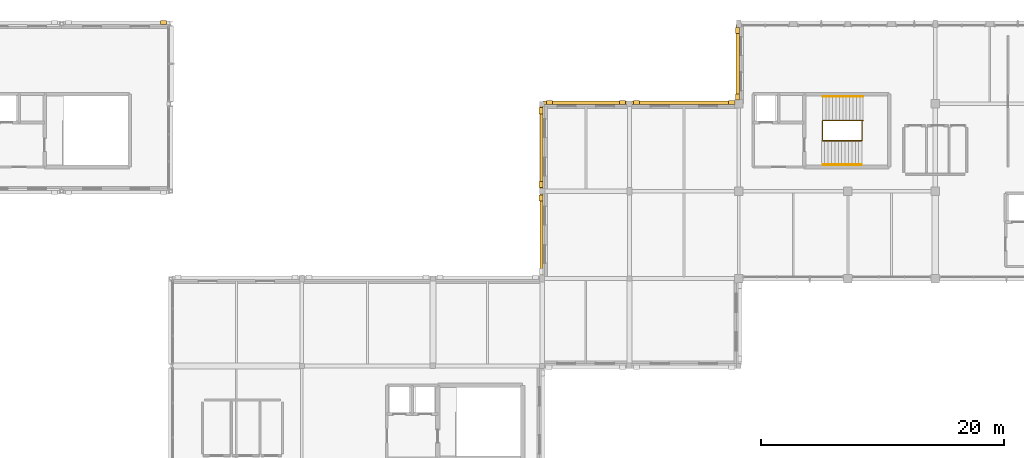
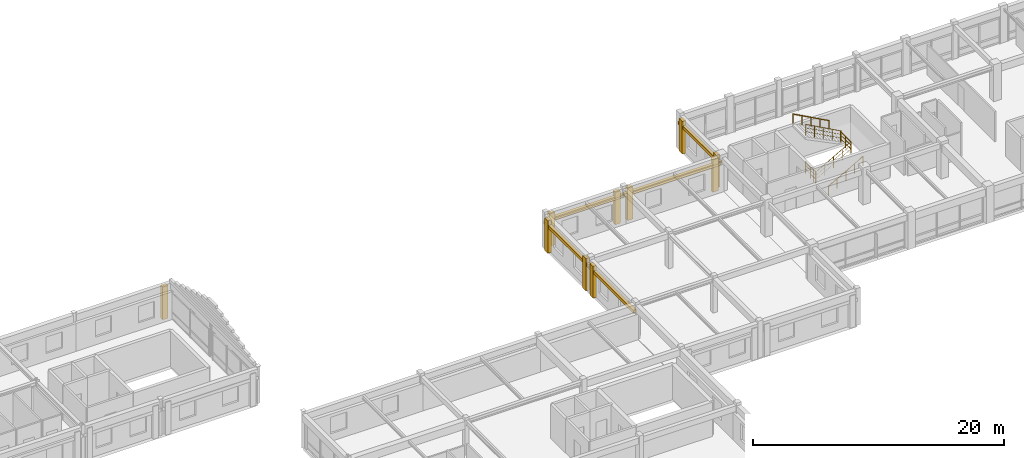
# One storey, part 50 of 52: 15 coverings, 6 railings.
"""IFC4 building model written with IfcOpenShell, lengths in metres."""

from ifc_helpers import new_model, si_unit, direction, frame, frame_2d, origin, origin_2d, place, context, subcontext, project, spatial, rectangle, circle, extrude, material, layer, layer_set, type_object, element, save


model = new_model("IFC4")

# Units and contexts
model_context = context("Model", 3, precision=1e-05, world=origin(), true_north=direction((0.0, 1.0)))
body_context = subcontext(model_context, "Body", "Model", "MODEL_VIEW")
ifc_project = project(units=[si_unit("LENGTHUNIT", "METRE"), si_unit("AREAUNIT", "SQUARE_METRE"), si_unit("VOLUMEUNIT", "CUBIC_METRE"), si_unit("PLANEANGLEUNIT", "RADIAN"), si_unit("MASSUNIT", "GRAM", prefix="KILO")], contexts=[model_context])

# Site, building, storey
site_placement = place(None, origin())
site = spatial("IfcSite", under=ifc_project, at=site_placement, CompositionType="ELEMENT")
building_placement = place(site_placement, origin())
building = spatial("IfcBuilding", under=site, at=building_placement, Name="Clarverna Civic Hall", CompositionType="ELEMENT")
storey_placement = place(building_placement, frame((0.0, 0.0, 16.800048828125)))
storey = spatial("IfcBuildingStorey", under=building, at=storey_placement, Name="L04", CompositionType="ELEMENT", Elevation=16.800048828125)

# Coverings
ifc_material_1 = material(Name="Montjuic Buff Limestone Ashlar Cladding", Category="masonry")
ifc_layer = layer(ifc_material_1, 0.070068359375)
ifc_layer_set = layer_set([ifc_layer], Name="Montjuic Buff Limestone Ashlar Cladding")
covering_type = type_object("IfcCoveringType", Name="CV-CL2", PredefinedType="CLADDING", material=ifc_layer_set)
covering_1_placement = place(storey_placement, frame((97.14501953125, 95.06005859375, 2.33984375), z_axis=(0.0, 0.0, 1.0), x_axis=(0.0, 1.0, 0.0)))
element("IfcCovering", 1, at=covering_1_placement, inside=storey, type_object=covering_type, Name="CV-CL2-746", PredefinedType="CLADDING", context=body_context, shape_type="SweptSolid", body=[
    extrude(rectangle(XDim=7.079833984375, YDim=0.280029296875, at=frame_2d((3.5400390625, 0.0))), origin(), (0.0, 0.0, 1.0), 0.300048828125),
])
covering_2_placement = place(storey_placement, frame((97.114990234375, 101.3798828125, 0.0), z_axis=(0.0, 0.0, 1.0), x_axis=(0.0, 1.0, 0.0)))
element("IfcCovering", 2, at=covering_2_placement, inside=storey, type_object=covering_type, Name="CV-CL2-748", PredefinedType="CLADDING", context=body_context, shape_type="SweptSolid", body=[
    extrude(rectangle(XDim=0.5, YDim=0.340087890625, at=frame_2d((0.25, 0.0))), origin(), (0.0, 0.0, 1.0), 3.099853515625),
])
covering_3_placement = place(storey_placement, frame((97.14501953125, 102.260009765625, 2.39990234375), z_axis=(0.0, 0.0, 1.0), x_axis=(0.0, 1.0, 0.0)))
element("IfcCovering", 3, at=covering_3_placement, inside=storey, type_object=covering_type, Name="CV-CL2-749", PredefinedType="CLADDING", context=body_context, shape_type="SweptSolid", body=[
    extrude(rectangle(XDim=7.080078125, YDim=0.280029296875, at=frame_2d((3.5400390625, 0.0))), origin(), (0.0, 0.0, 1.0), 0.300048828125),
])
for number, where, z_axis, x_axis, name in (
    (4, (97.114990234375, 102.52001953125, 0.0), (0.0, 0.0, 1.0), (0.0, 1.0, 0.0), "CV-CL2-750"),
    (5, (97.114990234375, 108.580078125, 0.0), (0.0, 0.0, 1.0), (0.0, 1.0, 0.0), "CV-CL2-751"),
):
    element("IfcCovering", number, at=place(storey_placement, frame(where, z_axis=z_axis, x_axis=x_axis)), inside=storey, type_object=covering_type, Name=name, PredefinedType="CLADDING", context=body_context, shape_type="SweptSolid", body=[
        extrude(rectangle(XDim=0.5, YDim=0.340087890625, at=frame_2d((0.25, 0.0))), origin(), (0.0, 0.0, 1.0), 3.159912109375),
    ])
covering_4_placement = place(storey_placement, frame((97.284912109375, 109.47998046875, 2.39990234375), z_axis=(0.0, 0.0, 1.0), x_axis=(1.0, 0.0, 0.0)))
element("IfcCovering", 6, at=covering_4_placement, inside=storey, type_object=covering_type, Name="CV-CL2-752", PredefinedType="CLADDING", context=body_context, shape_type="SweptSolid", body=[
    extrude(rectangle(XDim=7.05517578125, YDim=0.280029296875, at=frame_2d((3.527587890625, 0.0))), origin(), (0.0, 0.0, 1.0), 0.300048828125),
])
for number, where, z_axis, x_axis, name in (
    (7, (97.544921875, 109.510009765625, 0.0), (0.0, 0.0, 1.0), (1.0, 0.0, 0.0), "CV-CL2-753"),
    (8, (103.580078125, 109.510009765625, 0.0), (0.0, 0.0, 1.0), (1.0, 0.0, 0.0), "CV-CL2-754"),
):
    element("IfcCovering", number, at=place(storey_placement, frame(where, z_axis=z_axis, x_axis=x_axis)), inside=storey, type_object=covering_type, Name=name, PredefinedType="CLADDING", context=body_context, shape_type="SweptSolid", body=[
        extrude(rectangle(XDim=0.5, YDim=0.340087890625, at=frame_2d((0.25, 0.0))), origin(), (0.0, 0.0, 1.0), 3.159912109375),
    ])
covering_5_placement = place(storey_placement, frame((104.4599609375, 109.47998046875, 2.39990234375), z_axis=(0.0, 0.0, 1.0), x_axis=(1.0, 0.0, 0.0)))
element("IfcCovering", 9, at=covering_5_placement, inside=storey, type_object=covering_type, Name="CV-CL2-755", PredefinedType="CLADDING", context=body_context, shape_type="SweptSolid", body=[
    extrude(rectangle(XDim=8.880126953125, YDim=0.280029296875, at=frame_2d((4.43994140625, 0.0))), origin(), (0.0, 0.0, 1.0), 0.300048828125),
])
for number, where, z_axis, x_axis, name in (
    (10, (104.719970703125, 109.510009765625, 0.0), (0.0, 0.0, 1.0), (1.0, 0.0, 0.0), "CV-CL2-756"),
    (11, (112.580078125, 109.510009765625, 0.0), (0.0, 0.0, 1.0), (1.0, 0.0, 0.0), "CV-CL2-757"),
):
    element("IfcCovering", number, at=place(storey_placement, frame(where, z_axis=z_axis, x_axis=x_axis)), inside=storey, type_object=covering_type, Name=name, PredefinedType="CLADDING", context=body_context, shape_type="SweptSolid", body=[
        extrude(rectangle(XDim=0.5, YDim=0.340087890625, at=frame_2d((0.25, 0.0))), origin(), (0.0, 0.0, 1.0), 3.159912109375),
    ])
covering_6_placement = place(storey_placement, frame((113.320068359375, 109.4599609375, 2.419921875), z_axis=(0.0, 0.0, 1.0), x_axis=(0.0, 1.0, 0.0)))
element("IfcCovering", 12, at=covering_6_placement, inside=storey, type_object=covering_type, Name="CV-CL2-758", PredefinedType="CLADDING", context=body_context, shape_type="SweptSolid", body=[
    extrude(rectangle(XDim=6.47998046875, YDim=0.280029296875, at=frame_2d((3.239990234375, 0.0))), origin(), (0.0, 0.0, 1.0), 0.300048828125),
])
for number, where, z_axis, x_axis, name in (
    (13, (113.2900390625, 109.719970703125, 0.0), (0.0, 0.0, 1.0), (0.0, 1.0, 0.0), "CV-CL2-759"),
    (14, (113.2900390625, 115.179931640625, 0.0), (0.0, 0.0, 1.0), (0.0, 1.0, 0.0), "CV-CL2-760"),
    (15, (65.7548828125, 116.110107421875, 0.0), (0.0, 0.0, 1.0), (1.0, 0.0, 0.0), "CV-CL2-829"),
):
    element("IfcCovering", number, at=place(storey_placement, frame(where, z_axis=z_axis, x_axis=x_axis)), inside=storey, type_object=covering_type, Name=name, PredefinedType="CLADDING", context=body_context, shape_type="SweptSolid", body=[
        extrude(rectangle(XDim=0.5, YDim=0.340087890625, at=frame_2d((0.25, 0.0))), origin(), (0.0, 0.0, 1.0), 3.179931640625),
    ])

# Railings
ifc_material_2 = material(Name="Anodised Bronze Architectural Balustrade")
railing_type_1 = type_object("IfcRailingType", Name="GR-02", PredefinedType="BALUSTRADE", material=ifc_material_2)
railing_1_placement = place(storey_placement, frame((120.35009765625, 106.360107421875, 0.0)))
element("IfcRailing", 16, at=railing_1_placement, inside=storey, type_object=railing_type_1, Name="GR-02-171", PredefinedType="BALUSTRADE", context=body_context, shape_type="SweptSolid", body=[
    extrude(circle(Radius=0.02392578125, at=origin_2d()), frame((0.0, 0.0, 1.09619140625), z_axis=(0.871885778895, 0.0, 0.489709289845), x_axis=(0.0, 1.0, 0.0)), (0.0, 0.0, 1.0), 3.67578125),
    extrude(circle(Radius=0.011962890625, at=origin_2d()), frame((0.0, 0.0, 0.39208984375), z_axis=(0.871885778895, 0.0, 0.489709289845), x_axis=(0.0, 1.0, 0.0)), (0.0, 0.0, 1.0), 3.67578125),
    extrude(circle(Radius=0.011962890625, at=origin_2d()), frame((0.0, 0.0, 0.76171875), z_axis=(0.871885778895, 0.0, 0.489709289845), x_axis=(0.0, 1.0, 0.0)), (0.0, 0.0, 1.0), 3.67578125),
    extrude(circle(Radius=0.02099609375, at=origin_2d()), origin(), (0.0, 0.0, 1.0), 1.072021484375),
    extrude(circle(Radius=0.02099609375, at=origin_2d()), frame((0.80126953125, 0.0, 0.449951171875)), (0.0, 0.0, 1.0), 1.072021484375),
    extrude(circle(Radius=0.02099609375, at=origin_2d()), frame((1.6025390625, 0.0, 0.89990234375)), (0.0, 0.0, 1.0), 1.072021484375),
    extrude(circle(Radius=0.02099609375, at=origin_2d()), frame((2.403564453125, 0.0, 1.35009765625)), (0.0, 0.0, 1.0), 1.072021484375),
    extrude(circle(Radius=0.02099609375, at=origin_2d()), frame((3.204833984375, 0.0, 1.800048828125)), (0.0, 0.0, 1.0), 1.072021484375),
])
railing_2_placement = place(storey_placement, frame((123.554931640625, 106.360107421875, 1.800048828125)))
element("IfcRailing", 17, at=railing_2_placement, inside=storey, type_object=railing_type_1, Name="GR-02-172", PredefinedType="BALUSTRADE", context=body_context, shape_type="SweptSolid", body=[
    extrude(circle(Radius=0.02392578125, at=origin_2d()), frame((0.0, 0.0, 1.09619140625), z_axis=(0.0, 1.0, 0.0), x_axis=(-1.0, 0.0, 0.0)), (0.0, 0.0, 1.0), 1.679931640625),
    extrude(circle(Radius=0.011962890625, at=origin_2d()), frame((0.0, 0.0, 0.39208984375), z_axis=(0.0, 1.0, 0.0), x_axis=(-1.0, 0.0, 0.0)), (0.0, 0.0, 1.0), 1.679931640625),
    extrude(circle(Radius=0.011962890625, at=origin_2d()), frame((0.0, 0.0, 0.76171875), z_axis=(0.0, 1.0, 0.0), x_axis=(-1.0, 0.0, 0.0)), (0.0, 0.0, 1.0), 1.679931640625),
    extrude(circle(Radius=0.02099609375, at=origin_2d()), origin(), (0.0, 0.0, 1.0), 1.072021484375),
    extrude(circle(Radius=0.02099609375, at=origin_2d()), frame((0.0, 0.83984375, 0.0)), (0.0, 0.0, 1.0), 1.072021484375),
    extrude(circle(Radius=0.02099609375, at=origin_2d()), frame((0.0, 1.679931640625, 0.0)), (0.0, 0.0, 1.0), 1.072021484375),
])
railing_3_placement = place(storey_placement, frame((123.64501953125, 108.0400390625, 1.800048828125)))
element("IfcRailing", 18, at=railing_3_placement, inside=storey, type_object=railing_type_1, Name="GR-02-173", PredefinedType="BALUSTRADE", context=body_context, shape_type="SweptSolid", body=[
    extrude(circle(Radius=0.02392578125, at=origin_2d()), frame((0.0, 0.0, 1.09619140625), z_axis=(-0.87760714037, 0.0, 0.479380545258), x_axis=(0.0, -1.0, 0.0)), (0.0, 0.0, 1.0), 3.75439453125),
    extrude(circle(Radius=0.011962890625, at=origin_2d()), frame((0.0, 0.0, 0.39208984375), z_axis=(-0.87760714037, 0.0, 0.479380545258), x_axis=(0.0, -1.0, 0.0)), (0.0, 0.0, 1.0), 3.75439453125),
    extrude(circle(Radius=0.011962890625, at=origin_2d()), frame((0.0, 0.0, 0.76171875), z_axis=(-0.87760714037, 0.0, 0.479380545258), x_axis=(0.0, -1.0, 0.0)), (0.0, 0.0, 1.0), 3.75439453125),
    extrude(circle(Radius=0.02099609375, at=origin_2d()), origin(), (0.0, 0.0, 1.0), 1.072021484375),
    extrude(circle(Radius=0.02099609375, at=origin_2d()), frame((-0.82373046875, 0.0, 0.449951171875)), (0.0, 0.0, 1.0), 1.072021484375),
    extrude(circle(Radius=0.02099609375, at=origin_2d()), frame((-1.6474609375, 0.0, 0.89990234375)), (0.0, 0.0, 1.0), 1.072021484375),
    extrude(circle(Radius=0.02099609375, at=origin_2d()), frame((-2.47119140625, 0.0, 1.349853515625)), (0.0, 0.0, 1.0), 1.072021484375),
    extrude(circle(Radius=0.02099609375, at=origin_2d()), frame((-3.294921875, 0.0, 1.7998046875)), (0.0, 0.0, 1.0), 1.072021484375),
])
railing_4_placement = place(storey_placement, frame((120.31005859375, 106.39990234375, 0.0)))
element("IfcRailing", 19, at=railing_4_placement, inside=storey, type_object=railing_type_1, Name="GR-02-174", PredefinedType="BALUSTRADE", context=body_context, shape_type="SweptSolid", body=[
    extrude(circle(Radius=0.02392578125, at=origin_2d()), frame((0.0, 0.0, 1.09619140625), z_axis=(0.0, 1.0, 0.0), x_axis=(-1.0, 0.0, 0.0)), (0.0, 0.0, 1.0), 1.60009765625),
    extrude(circle(Radius=0.011962890625, at=origin_2d()), frame((0.0, 0.0, 0.39208984375), z_axis=(0.0, 1.0, 0.0), x_axis=(-1.0, 0.0, 0.0)), (0.0, 0.0, 1.0), 1.60009765625),
    extrude(circle(Radius=0.011962890625, at=origin_2d()), frame((0.0, 0.0, 0.76171875), z_axis=(0.0, 1.0, 0.0), x_axis=(-1.0, 0.0, 0.0)), (0.0, 0.0, 1.0), 1.60009765625),
    extrude(circle(Radius=0.02099609375, at=origin_2d()), origin(), (0.0, 0.0, 1.0), 1.072021484375),
    extrude(circle(Radius=0.02099609375, at=origin_2d()), frame((0.0, 0.800048828125, 0.0)), (0.0, 0.0, 1.0), 1.072021484375),
    extrude(circle(Radius=0.02099609375, at=origin_2d()), frame((0.0, 1.60009765625, 0.0)), (0.0, 0.0, 1.0), 1.072021484375),
])
ifc_material_3 = material(Name="Anodised Bronze Continuous Handrail")
railing_type_2 = type_object("IfcRailingType", Name="HR-01", PredefinedType="HANDRAIL", material=ifc_material_3)
railing_5_placement = place(storey_placement, frame((120.35009765625, 104.3798828125, 0.0)))
element("IfcRailing", 20, at=railing_5_placement, inside=storey, type_object=railing_type_2, Name="HR-01-085", PredefinedType="HANDRAIL", context=body_context, shape_type="SweptSolid", body=[
    extrude(circle(Radius=0.02392578125, at=origin_2d()), frame((0.0, 0.0, 0.89599609375), z_axis=(0.87090897868, 0.0, 0.491444351738), x_axis=(0.0, 1.0, 0.0)), (0.0, 0.0, 1.0), 3.662841796875),
    extrude(circle(Radius=0.02099609375, at=origin_2d()), origin(), (0.0, 0.0, 1.0), 0.871826171875),
    extrude(circle(Radius=0.02099609375, at=origin_2d()), frame((0.79736328125, 0.0, 0.449951171875)), (0.0, 0.0, 1.0), 0.871826171875),
    extrude(circle(Radius=0.02099609375, at=origin_2d()), frame((1.594970703125, 0.0, 0.89990234375)), (0.0, 0.0, 1.0), 0.871826171875),
    extrude(circle(Radius=0.02099609375, at=origin_2d()), frame((2.392578125, 0.0, 1.35009765625)), (0.0, 0.0, 1.0), 0.871826171875),
    extrude(circle(Radius=0.02099609375, at=origin_2d()), frame((3.18994140625, 0.0, 1.800048828125)), (0.0, 0.0, 1.0), 0.871826171875),
])
railing_6_placement = place(storey_placement, frame((123.659912109375, 110.02001953125, 1.800048828125)))
element("IfcRailing", 21, at=railing_6_placement, inside=storey, type_object=railing_type_2, Name="HR-01-086", PredefinedType="HANDRAIL", context=body_context, shape_type="SweptSolid", body=[
    extrude(circle(Radius=0.02392578125, at=origin_2d()), frame((0.0, 0.0, 0.89599609375), z_axis=(-0.878513961768, 0.0, 0.477716672284), x_axis=(0.0, -1.0, 0.0)), (0.0, 0.0, 1.0), 3.767578125),
    extrude(circle(Radius=0.02099609375, at=origin_2d()), origin(), (0.0, 0.0, 1.0), 0.871826171875),
    extrude(circle(Radius=0.02099609375, at=origin_2d()), frame((-0.827392578125, 0.0, 0.449951171875)), (0.0, 0.0, 1.0), 0.871826171875),
    extrude(circle(Radius=0.02099609375, at=origin_2d()), frame((-1.65478515625, 0.0, 0.89990234375)), (0.0, 0.0, 1.0), 0.871826171875),
    extrude(circle(Radius=0.02099609375, at=origin_2d()), frame((-2.482421875, 0.0, 1.349853515625)), (0.0, 0.0, 1.0), 0.871826171875),
    extrude(circle(Radius=0.02099609375, at=origin_2d()), frame((-3.309814453125, 0.0, 1.7998046875)), (0.0, 0.0, 1.0), 0.871826171875),
])

save(model, "model.ifc")
